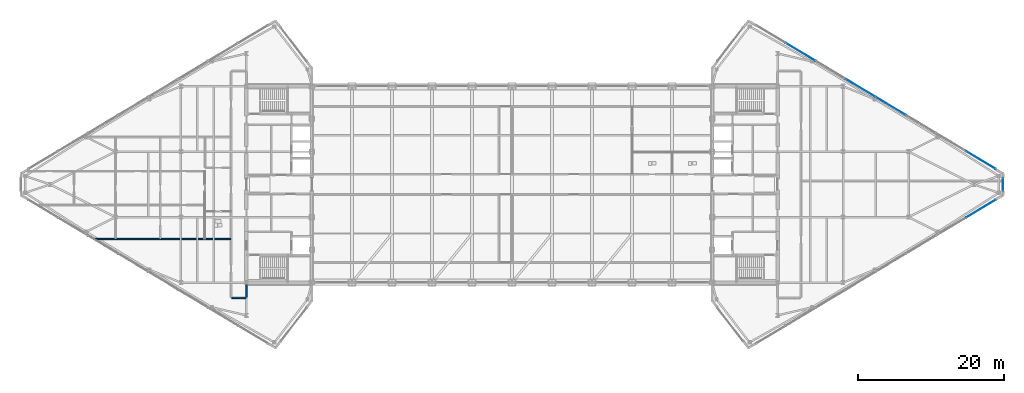
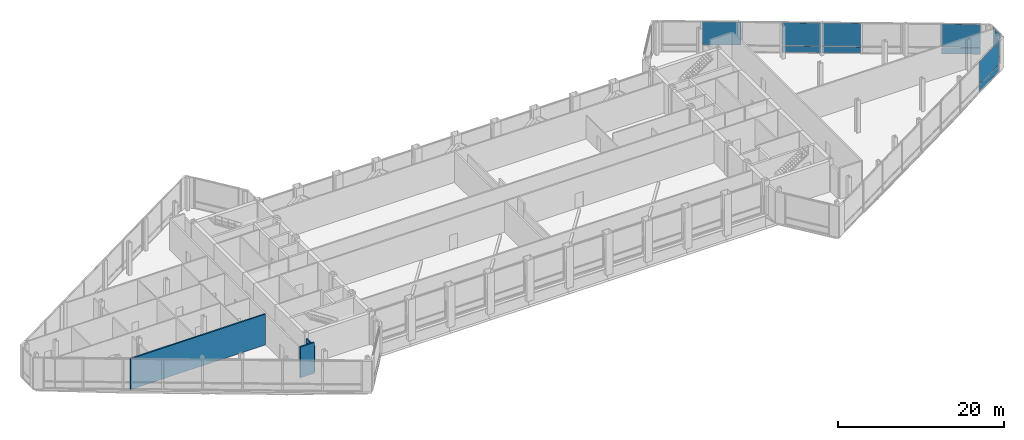
# One storey, part 21 of 29: 11 plates, 3 walls, 3 elements without a shape of their own.
"""IFC4 building model written with IfcOpenShell, lengths in metres."""

from ifc_helpers import new_model, si_unit, direction, frame, frame_2d, origin, origin_2d, place, context, subcontext, project, spatial, rectangle, extrude, source, transform, mapped, material, layer, layer_set, type_object, type_shapes, element, aggregate, save


model = new_model("IFC4")

# Units and contexts
model_context = context("Model", 3, precision=1e-05, world=origin(), true_north=direction((0.0, 1.0)))
body_context = subcontext(model_context, "Body", "Model", "MODEL_VIEW")
ifc_project = project(units=[si_unit("LENGTHUNIT", "METRE"), si_unit("AREAUNIT", "SQUARE_METRE"), si_unit("VOLUMEUNIT", "CUBIC_METRE"), si_unit("PLANEANGLEUNIT", "RADIAN"), si_unit("MASSUNIT", "GRAM", prefix="KILO")], contexts=[model_context])

# Site, building, storey
site_placement = place(None, origin())
site = spatial("IfcSite", under=ifc_project, at=site_placement, CompositionType="ELEMENT")
building_placement = place(site_placement, origin())
building = spatial("IfcBuilding", under=site, at=building_placement, Name="Seokmaru Belvedere", CompositionType="ELEMENT")
storey_placement = place(building_placement, frame((0.0, 0.0, 229.800048828125)))
storey = spatial("IfcBuildingStorey", under=building, at=storey_placement, Name="L61", CompositionType="ELEMENT", Elevation=229.800048828125)

# Curtain wall, plate
ifc_material_1 = material(Name="Bronze Triple Insulating Glass", Category="glass")
ifc_layer_1 = layer(ifc_material_1, 0.219970703125)
ifc_layer_set_1 = layer_set([ifc_layer_1], Name="Bronze Triple Insulating Glass")
curtain_wall_type = type_object("IfcCurtainWallType", Name="Sky-Gate Bridge Panorama Curtain Wall System CW-6", PredefinedType="NOTDEFINED", material=ifc_layer_set_1)
curtain_wall_1_placement = place(storey_placement, origin())
curtain_wall_1 = element("IfcCurtainWall", 1, at=curtain_wall_1_placement, inside=storey, type_object=curtain_wall_type, Name="L61 Curtain Wall EF1", PredefinedType="NOTDEFINED")
ifc_layer_2 = layer(ifc_material_1, 0.048095703125)
ifc_layer_set_2 = layer_set([ifc_layer_2], Name="Bronze Triple Insulating Glass")
plate_type_1 = type_object("IfcPlateType", Name="Insulated Bronze Spandrel Glazing Panel 48", PredefinedType="CURTAIN_PANEL", material=ifc_layer_set_2)
shared_shape_1 = source(origin(), body_context, "Body", "SweptSolid", [
    extrude(rectangle(XDim=4.694580078125, YDim=0.0419921875, at=origin_2d()), origin(), (0.0, 0.0, 1.0), 0.9375),
])
plate_1_placement = place(storey_placement, frame((64.4326171875, -3.340576171875, 0.074951171875), z_axis=(0.0, 0.0, 1.0), x_axis=(0.85749343335, 0.514494909364, 0.0)))
plate_1 = element("IfcPlate", 2, at=plate_1_placement, type_object=plate_type_1, Name="CW:L61:EF1 Glazing Panel 8-1", PredefinedType="CURTAIN_PANEL", context=body_context, shape_type="MappedRepresentation", body=[
    mapped(shared_shape_1, transform((0.0, 0.0, 0.0), scale=1.0)),
])

curtain_wall_2_placement = place(storey_placement, origin())
curtain_wall_2 = element("IfcCurtainWall", 3, at=curtain_wall_2_placement, inside=storey, type_object=curtain_wall_type, Name="L61 Curtain Wall EF3", PredefinedType="NOTDEFINED")
plate_2_placement = place(storey_placement, frame((64.4326171875, 3.340576171875, 0.074951171875), z_axis=(0.0, 0.0, 1.0), x_axis=(-0.85749343335, 0.514494909364, 0.0)))
plate_2 = element("IfcPlate", 4, at=plate_2_placement, type_object=plate_type_1, Name="CW:L61:EF3 Glazing Panel 1-1", PredefinedType="CURTAIN_PANEL", context=body_context, shape_type="MappedRepresentation", body=[
    mapped(shared_shape_1, transform((0.0, 0.0, 0.0), scale=1.0)),
])

# Plate
ifc_layer_3 = layer(ifc_material_1, 0.0419921875)
ifc_layer_set_3 = layer_set([ifc_layer_3], Name="Bronze Triple Insulating Glass")
plate_type_2 = type_object("IfcPlateType", Name="Acoustic Laminated Panorama Glazing Panel 42", PredefinedType="CURTAIN_PANEL", material=ifc_layer_set_3)
shared_shape_2 = source(origin(), body_context, "Body", "SweptSolid", [
    extrude(rectangle(XDim=4.694580078125, YDim=0.0419921875, at=origin_2d()), origin(), (0.0, 0.0, 1.0), 3.37744140625),
])
plate_3_placement = place(storey_placement, frame((64.4326171875, -3.340576171875, 1.08740234375), z_axis=(0.0, 0.0, 1.0), x_axis=(0.85749343335, 0.514494909364, 0.0)))
plate_3 = element("IfcPlate", 5, at=plate_3_placement, type_object=plate_type_2, Name="CW:L61:EF1 Glazing Panel 8-2", PredefinedType="CURTAIN_PANEL", context=body_context, shape_type="MappedRepresentation", body=[
    mapped(shared_shape_2, transform((0.0, 0.0, 0.0), scale=1.0)),
])

aggregate(curtain_wall_1, [plate_1, plate_3])

plate_4_placement = place(storey_placement, frame((64.4326171875, 3.340576171875, 1.08740234375), z_axis=(0.0, 0.0, 1.0), x_axis=(-0.85749343335, 0.514494909364, 0.0)))
plate_4 = element("IfcPlate", 6, at=plate_4_placement, type_object=plate_type_2, Name="CW:L61:EF3 Glazing Panel 1-2", PredefinedType="CURTAIN_PANEL", context=body_context, shape_type="MappedRepresentation", body=[
    mapped(shared_shape_2, transform((0.0, 0.0, 0.0), scale=1.0)),
])

shared_shape_3 = source(origin(), body_context, "Body", "SweptSolid", [
    extrude(rectangle(XDim=4.734619140625, YDim=0.0419921875, at=origin_2d()), origin(), (0.0, 0.0, 1.0), 0.9375),
])
plate_5_placement = place(storey_placement, frame((52.064208984375, 10.761474609375, 0.074951171875), z_axis=(0.0, 0.0, 1.0), x_axis=(-0.85749343335, 0.514494909364, 0.0)))
plate_5 = element("IfcPlate", 7, at=plate_5_placement, type_object=plate_type_1, Name="CW:L61:EF3 Glazing Panel 4-1", PredefinedType="CURTAIN_PANEL", context=body_context, shape_type="MappedRepresentation", body=[
    mapped(shared_shape_3, transform((0.0, 0.0, 0.0), scale=1.0)),
])

plate_6_placement = place(storey_placement, frame((47.935791015625, 13.238525390625, 0.074951171875), z_axis=(0.0, 0.0, 1.0), x_axis=(-0.85749343335, 0.514494909364, 0.0)))
plate_6 = element("IfcPlate", 8, at=plate_6_placement, type_object=plate_type_1, Name="CW:L61:EF3 Glazing Panel 5-1", PredefinedType="CURTAIN_PANEL", context=body_context, shape_type="MappedRepresentation", body=[
    mapped(shared_shape_3, transform((0.0, 0.0, 0.0), scale=1.0)),
])

shared_shape_4 = source(origin(), body_context, "Body", "SweptSolid", [
    extrude(rectangle(XDim=4.734619140625, YDim=0.0419921875, at=origin_2d()), origin(), (0.0, 0.0, 1.0), 3.37744140625),
])
plate_7_placement = place(storey_placement, frame((52.064208984375, 10.761474609375, 1.08740234375), z_axis=(0.0, 0.0, 1.0), x_axis=(-0.85749343335, 0.514494909364, 0.0)))
plate_7 = element("IfcPlate", 9, at=plate_7_placement, type_object=plate_type_2, Name="CW:L61:EF3 Glazing Panel 4-2", PredefinedType="CURTAIN_PANEL", context=body_context, shape_type="MappedRepresentation", body=[
    mapped(shared_shape_4, transform((0.0, 0.0, 0.0), scale=1.0)),
])

plate_8_placement = place(storey_placement, frame((47.935791015625, 13.238525390625, 1.08740234375), z_axis=(0.0, 0.0, 1.0), x_axis=(-0.85749343335, 0.514494909364, 0.0)))
plate_8 = element("IfcPlate", 10, at=plate_8_placement, type_object=plate_type_2, Name="CW:L61:EF3 Glazing Panel 5-2", PredefinedType="CURTAIN_PANEL", context=body_context, shape_type="MappedRepresentation", body=[
    mapped(shared_shape_4, transform((0.0, 0.0, 0.0), scale=1.0)),
])

plate_9_placement = place(storey_placement, frame((39.6787109375, 18.192626953125, 1.08740234375), z_axis=(0.0, 0.0, 1.0), x_axis=(-0.85749343335, 0.514494909364, 0.0)))
plate_9 = element("IfcPlate", 11, at=plate_9_placement, type_object=plate_type_2, Name="CW:L61:EF3 Glazing Panel 7-2", PredefinedType="CURTAIN_PANEL", context=body_context, shape_type="MappedRepresentation", body=[
    mapped(shared_shape_4, transform((0.0, 0.0, 0.0), scale=1.0)),
])

aggregate(curtain_wall_2, [plate_2, plate_4, plate_5, plate_7, plate_6, plate_8, plate_9])

# Curtain wall, plates
curtain_wall_3_placement = place(storey_placement, origin())
curtain_wall_3 = element("IfcCurtainWall", 12, at=curtain_wall_3_placement, inside=storey, type_object=curtain_wall_type, Name="L61 Curtain Wall EF2", PredefinedType="NOTDEFINED")
shared_shape_5 = source(origin(), body_context, "Body", "SweptSolid", [
    extrude(rectangle(XDim=1.739990234375, YDim=0.0419921875, at=origin_2d()), origin(), (0.0, 0.0, 1.0), 0.9375),
])
type_shapes(plate_type_1, [shared_shape_1, shared_shape_3, shared_shape_5])
plate_10_placement = place(storey_placement, frame((67.5, 0.0, 0.074951171875), z_axis=(0.0, 0.0, 1.0), x_axis=(0.0, 1.0, 0.0)))
plate_10 = element("IfcPlate", 13, at=plate_10_placement, type_object=plate_type_1, Name="CW:L61:EF2 Glazing Panel 1-1", PredefinedType="CURTAIN_PANEL", context=body_context, shape_type="MappedRepresentation", body=[
    mapped(shared_shape_5, transform((0.0, 0.0, 0.0), scale=1.0)),
])
shared_shape_6 = source(origin(), body_context, "Body", "SweptSolid", [
    extrude(rectangle(XDim=1.739990234375, YDim=0.0419921875, at=origin_2d()), origin(), (0.0, 0.0, 1.0), 3.37744140625),
])
type_shapes(plate_type_2, [shared_shape_2, shared_shape_4, shared_shape_6])
plate_11_placement = place(storey_placement, frame((67.5, 0.0, 1.08740234375), z_axis=(0.0, 0.0, 1.0), x_axis=(0.0, 1.0, 0.0)))
plate_11 = element("IfcPlate", 14, at=plate_11_placement, type_object=plate_type_2, Name="CW:L61:EF2 Glazing Panel 1-2", PredefinedType="CURTAIN_PANEL", context=body_context, shape_type="MappedRepresentation", body=[
    mapped(shared_shape_6, transform((0.0, 0.0, 0.0), scale=1.0)),
])
aggregate(curtain_wall_3, [plate_10, plate_11])

# Walls
ifc_material_2 = material(Name="Fire-Rated Gypsum Shaftwall")
ifc_layer_4 = layer(ifc_material_2, 0.199951171875)
ifc_layer_set_4 = layer_set([ifc_layer_4], Name="Fire-Rated Gypsum Shaftwall")
wall_type = type_object("IfcWallType", Name="Inter-Tenancy Fire Compartment Partition 200", PredefinedType="PARTITIONING", material=ifc_layer_set_4)
wall_1_placement = place(storey_placement, frame((-38.514892578125, -15.60009765625, 0.0), z_axis=(0.0, 0.0, 1.0), x_axis=(1.0, 0.0, 0.0)))
element("IfcWall", 15, at=wall_1_placement, inside=storey, type_object=wall_type, Name="L61 Interior Partition 001", PredefinedType="PARTITIONING", context=body_context, shape_type="SweptSolid", body=[
    extrude(rectangle(XDim=1.929931640625, YDim=0.199951171875, at=frame_2d((0.96484375, 0.0))), origin(), (0.0, 0.0, 1.0), 4.5400390625),
])
wall_2_placement = place(storey_placement, frame((-57.510009765625, -7.5, 0.0), z_axis=(0.0, 0.0, 1.0), x_axis=(1.0, 0.0, 0.0)))
element("IfcWall", 16, at=wall_2_placement, inside=storey, type_object=wall_type, Name="L61 Interior Partition 004", PredefinedType="PARTITIONING", context=body_context, shape_type="SweptSolid", body=[
    extrude(rectangle(XDim=18.830078125, YDim=0.199951171875, at=frame_2d((9.4150390625, 0.0))), origin(), (0.0, 0.0, 1.0), 4.5400390625),
])
wall_3_placement = place(storey_placement, frame((-36.5, -15.514892578125, 0.0), z_axis=(0.0, 0.0, 1.0), x_axis=(0.0, 1.0, 0.0)))
element("IfcWall", 17, at=wall_3_placement, inside=storey, type_object=wall_type, Name="L61 Interior Partition 023", PredefinedType="PARTITIONING", context=body_context, shape_type="SweptSolid", body=[
    extrude(rectangle(XDim=1.760009765625, YDim=0.199951171875, at=frame_2d((0.8798828125, 0.0))), origin(), (0.0, 0.0, 1.0), 3.93994140625),
])

save(model, "model.ifc")
